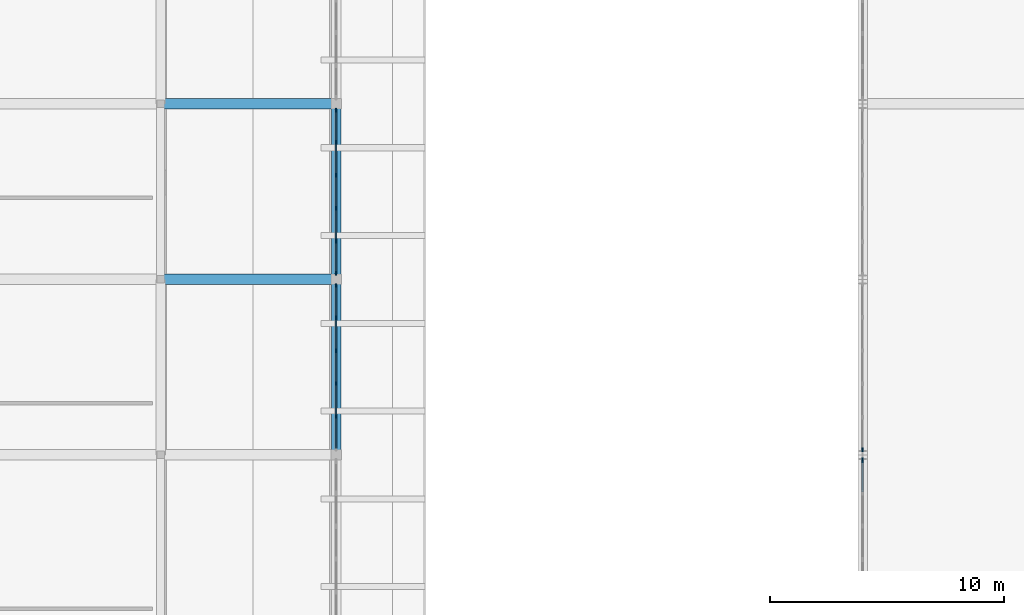
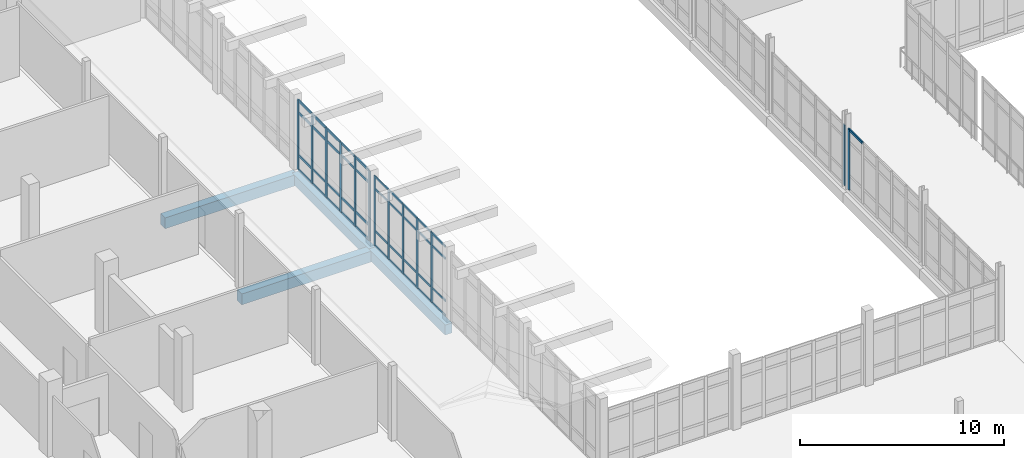
# One storey, part 24 of 128: 54 members, 4 beams, 4 elements without a shape of their own.
"""IFC4 building model written with IfcOpenShell, lengths in metres."""

from ifc_helpers import new_model, si_unit, direction, frame, origin, origin_2d, place, context, subcontext, project, spatial, rectangle, extrude, material, layer, layer_set, material_profile, profile_set, type_object, element, aggregate, save


model = new_model("IFC4")

# Units and contexts
model_context = context("Model", 3, precision=1e-05, world=origin(), true_north=direction((0.0, 1.0)))
body_context = subcontext(model_context, "Body", "Model", "MODEL_VIEW")
ifc_project = project(units=[si_unit("LENGTHUNIT", "METRE"), si_unit("AREAUNIT", "SQUARE_METRE"), si_unit("VOLUMEUNIT", "CUBIC_METRE"), si_unit("PLANEANGLEUNIT", "RADIAN"), si_unit("MASSUNIT", "GRAM", prefix="KILO")], contexts=[model_context])

# Site, building, storey
site_placement = place(None, origin())
site = spatial("IfcSite", under=ifc_project, at=site_placement, CompositionType="ELEMENT")
building_placement = place(site_placement, origin())
building = spatial("IfcBuilding", under=site, at=building_placement, Name="Dalvernix Boulevard General Hospital", CompositionType="ELEMENT")
storey_placement = place(building_placement, frame((0.0, 0.0, 4.800048828125)))
storey = spatial("IfcBuildingStorey", under=building, at=storey_placement, Name="L01", CompositionType="ELEMENT", Elevation=4.800048828125)

# Beams
ifc_material_1 = material(Name="Concrete C35/45", Category="concrete")
ifc_material_profile_1 = material_profile(ifc_material_1, rectangle(XDim=0.449951171875, YDim=0.64990234375, at=origin_2d()), Name="RCB 450x650")
ifc_profile_set_1 = profile_set([ifc_material_profile_1], Name="Concrete C35/45")
beam_type_1 = type_object("IfcBeamType", Name="BM-B-03-I", PredefinedType="BEAM", material=ifc_profile_set_1)
for number, where, z_axis, x_axis, name in (
    (1, (30.0, 54.0, -0.625), (1.0, 0.0, 0.0), (0.0, 1.0, 0.0), "L01 E-W girder H:5-6"),
    (2, (30.0, 61.5, -0.625), (1.0, 0.0, 0.0), (0.0, 1.0, 0.0), "L01 E-W girder J:5-6"),
):
    element("IfcBeam", number, at=place(storey_placement, frame(where, z_axis=z_axis, x_axis=x_axis)), inside=storey, type_object=beam_type_1, Name=name, PredefinedType="BEAM", context=body_context, shape_type="SweptSolid", body=[
        extrude(rectangle(XDim=0.449951171875, YDim=0.64990234375, at=origin_2d()), origin(), (0.0, 0.0, 1.0), 7.5),
    ])
ifc_material_profile_2 = material_profile(ifc_material_1, rectangle(XDim=0.39990234375, YDim=0.60009765625, at=origin_2d()), Name="RCB 400x600")
ifc_profile_set_2 = profile_set([ifc_material_profile_2], Name="Concrete C35/45")
beam_type_2 = type_object("IfcBeamType", Name="BM-SB-02-E", PredefinedType="SPANDREL", material=ifc_profile_set_2)
for number, where, z_axis, x_axis, name in (
    (3, (37.5, 46.5, -0.60009765625), (0.0, 1.0, 0.0), (-1.0, 0.0, 0.0), "L01 N-S girder 6:G-H"),
    (4, (37.5, 54.0, -0.60009765625), (0.0, 1.0, 0.0), (-1.0, 0.0, 0.0), "L01 N-S girder 6:H-J"),
):
    element("IfcBeam", number, at=place(storey_placement, frame(where, z_axis=z_axis, x_axis=x_axis)), inside=storey, type_object=beam_type_2, Name=name, PredefinedType="SPANDREL", context=body_context, shape_type="SweptSolid", body=[
        extrude(rectangle(XDim=0.39990234375, YDim=0.60009765625, at=origin_2d()), origin(), (0.0, 0.0, 1.0), 7.5),
    ])

# Curtain wall, members
ifc_material_2 = material(Name="Thermally broken aluminium and solar-control glass curtain wall", Category="aluminium")
ifc_layer_1 = layer(ifc_material_2, 0.159912109375)
ifc_layer_set_1 = layer_set([ifc_layer_1], Name="Thermally broken aluminium and solar-control glass curtain wall (CW-CW-A-70x42)")
curtain_wall_type_1 = type_object("IfcCurtainWallType", Name="CW-CW-A-70x42", PredefinedType="USERDEFINED", material=ifc_layer_set_1)
curtain_wall_1_placement = place(storey_placement, origin())
curtain_wall_1 = element("IfcCurtainWall", 5, at=curtain_wall_1_placement, inside=storey, type_object=curtain_wall_type_1, Name="L01 curtain wall CW-A-70x42 5-6", ObjectType="GLAZED FACADE", PredefinedType="USERDEFINED")
ifc_material_3 = material(Name="Aluminium EN AW-6060", Category="aluminium")
ifc_material_profile_3 = material_profile(ifc_material_3, rectangle(XDim=0.06005859375, YDim=0.159912109375, at=origin_2d()), Name="ALU MULL 60x160")
ifc_profile_set_3 = profile_set([ifc_material_profile_3], Name="Aluminium EN AW-6060")
member_type_1 = type_object("IfcMemberType", Name="MEM-CW-M1", PredefinedType="MULLION", material=ifc_profile_set_3)
member_1_placement = place(storey_placement, frame((37.5, 53.735107421875, 0.0), z_axis=(0.0, 0.0, 1.0), x_axis=(1.0, 0.0, 0.0)))
member_1 = element("IfcMember", 6, at=member_1_placement, type_object=member_type_1, Name="CW-A-70x42 mullion 1", PredefinedType="MULLION", context=body_context, shape_type="SweptSolid", body=[
    extrude(rectangle(XDim=0.06005859375, YDim=0.159912109375, at=origin_2d()), origin(), (0.0, 0.0, 1.0), 4.179931640625),
])
member_2_placement = place(storey_placement, frame((37.5, 52.35888671875, 0.0), z_axis=(0.0, 0.0, 1.0), x_axis=(1.0, 0.0, 0.0)))
member_2 = element("IfcMember", 7, at=member_2_placement, type_object=member_type_1, Name="CW-A-70x42 mullion 2", PredefinedType="MULLION", context=body_context, shape_type="SweptSolid", body=[
    extrude(rectangle(XDim=0.06005859375, YDim=0.159912109375, at=origin_2d()), origin(), (0.0, 0.0, 1.0), 4.179931640625),
])
member_3_placement = place(storey_placement, frame((37.5, 50.952880859375, 0.0), z_axis=(0.0, 0.0, 1.0), x_axis=(1.0, 0.0, 0.0)))
member_3 = element("IfcMember", 8, at=member_3_placement, type_object=member_type_1, Name="CW-A-70x42 mullion 3", PredefinedType="MULLION", context=body_context, shape_type="SweptSolid", body=[
    extrude(rectangle(XDim=0.06005859375, YDim=0.159912109375, at=origin_2d()), origin(), (0.0, 0.0, 1.0), 4.179931640625),
])
member_4_placement = place(storey_placement, frame((37.5, 49.547119140625, 0.0), z_axis=(0.0, 0.0, 1.0), x_axis=(1.0, 0.0, 0.0)))
member_4 = element("IfcMember", 9, at=member_4_placement, type_object=member_type_1, Name="CW-A-70x42 mullion 4", PredefinedType="MULLION", context=body_context, shape_type="SweptSolid", body=[
    extrude(rectangle(XDim=0.06005859375, YDim=0.159912109375, at=origin_2d()), origin(), (0.0, 0.0, 1.0), 4.179931640625),
])
member_5_placement = place(storey_placement, frame((37.5, 48.14111328125, 0.0), z_axis=(0.0, 0.0, 1.0), x_axis=(1.0, 0.0, 0.0)))
member_5 = element("IfcMember", 10, at=member_5_placement, type_object=member_type_1, Name="CW-A-70x42 mullion 5", PredefinedType="MULLION", context=body_context, shape_type="SweptSolid", body=[
    extrude(rectangle(XDim=0.06005859375, YDim=0.159912109375, at=origin_2d()), origin(), (0.0, 0.0, 1.0), 4.179931640625),
])

# Curtain wall, member
ifc_layer_2 = layer(ifc_material_2, 0.159912109375)
ifc_layer_set_2 = layer_set([ifc_layer_2], Name="Thermally broken aluminium and solar-control glass curtain wall (CW-CW-A-71x36)")
curtain_wall_type_2 = type_object("IfcCurtainWallType", Name="CW-CW-A-71x36", PredefinedType="USERDEFINED", material=ifc_layer_set_2)
curtain_wall_2_placement = place(storey_placement, origin())
curtain_wall_2 = element("IfcCurtainWall", 11, at=curtain_wall_2_placement, inside=storey, type_object=curtain_wall_type_2, Name="L01 curtain wall CW-A-71x36 8-6", ObjectType="GLAZED FACADE", PredefinedType="USERDEFINED")
member_6_placement = place(storey_placement, frame((60.0, 46.719970703125, 0.0), z_axis=(0.0, 0.0, 1.0), x_axis=(-1.0, 0.0, 0.0)))
member_6 = element("IfcMember", 12, at=member_6_placement, type_object=member_type_1, Name="CW-A-71x36 mullion 1", PredefinedType="MULLION", context=body_context, shape_type="SweptSolid", body=[
    extrude(rectangle(XDim=0.06005859375, YDim=0.159912109375, at=origin_2d()), origin(), (0.0, 0.0, 1.0), 3.6298828125),
])
aggregate(curtain_wall_2, [member_6])

# Curtain wall, members
ifc_layer_3 = layer(ifc_material_2, 0.179931640625)
ifc_layer_set_3 = layer_set([ifc_layer_3], Name="Thermally broken aluminium and solar-control glass curtain wall (CW-CW-B-70x42)")
curtain_wall_type_3 = type_object("IfcCurtainWallType", Name="CW-CW-B-70x42", PredefinedType="USERDEFINED", material=ifc_layer_set_3)
curtain_wall_3_placement = place(storey_placement, origin())
curtain_wall_3 = element("IfcCurtainWall", 13, at=curtain_wall_3_placement, inside=storey, type_object=curtain_wall_type_3, Name="L01 curtain wall CW-B-70x42 5-7", ObjectType="GLAZED FACADE", PredefinedType="USERDEFINED")
ifc_material_profile_4 = material_profile(ifc_material_3, rectangle(XDim=0.06494140625, YDim=0.179931640625, at=origin_2d()), Name="ALU MULL 65x180")
ifc_profile_set_4 = profile_set([ifc_material_profile_4], Name="Aluminium EN AW-6060")
member_type_2 = type_object("IfcMemberType", Name="MEM-CW-M2", PredefinedType="MULLION", material=ifc_profile_set_4)
member_7_placement = place(storey_placement, frame((37.5, 61.232421875, 0.0), z_axis=(0.0, 0.0, 1.0), x_axis=(1.0, 0.0, 0.0)))
member_7 = element("IfcMember", 14, at=member_7_placement, type_object=member_type_2, Name="CW-B-70x42 mullion 1", PredefinedType="MULLION", context=body_context, shape_type="SweptSolid", body=[
    extrude(rectangle(XDim=0.06494140625, YDim=0.179931640625, at=origin_2d()), origin(), (0.0, 0.0, 1.0), 4.179931640625),
])
member_8_placement = place(storey_placement, frame((37.5, 59.85888671875, 0.0), z_axis=(0.0, 0.0, 1.0), x_axis=(1.0, 0.0, 0.0)))
member_8 = element("IfcMember", 15, at=member_8_placement, type_object=member_type_2, Name="CW-B-70x42 mullion 2", PredefinedType="MULLION", context=body_context, shape_type="SweptSolid", body=[
    extrude(rectangle(XDim=0.06494140625, YDim=0.179931640625, at=origin_2d()), origin(), (0.0, 0.0, 1.0), 4.179931640625),
])
member_9_placement = place(storey_placement, frame((37.5, 58.452880859375, 0.0), z_axis=(0.0, 0.0, 1.0), x_axis=(1.0, 0.0, 0.0)))
member_9 = element("IfcMember", 16, at=member_9_placement, type_object=member_type_2, Name="CW-B-70x42 mullion 3", PredefinedType="MULLION", context=body_context, shape_type="SweptSolid", body=[
    extrude(rectangle(XDim=0.06494140625, YDim=0.179931640625, at=origin_2d()), origin(), (0.0, 0.0, 1.0), 4.179931640625),
])
member_10_placement = place(storey_placement, frame((37.5, 57.047119140625, 0.0), z_axis=(0.0, 0.0, 1.0), x_axis=(1.0, 0.0, 0.0)))
member_10 = element("IfcMember", 17, at=member_10_placement, type_object=member_type_2, Name="CW-B-70x42 mullion 4", PredefinedType="MULLION", context=body_context, shape_type="SweptSolid", body=[
    extrude(rectangle(XDim=0.06494140625, YDim=0.179931640625, at=origin_2d()), origin(), (0.0, 0.0, 1.0), 4.179931640625),
])
member_11_placement = place(storey_placement, frame((37.5, 55.64111328125, 0.0), z_axis=(0.0, 0.0, 1.0), x_axis=(1.0, 0.0, 0.0)))
member_11 = element("IfcMember", 18, at=member_11_placement, type_object=member_type_2, Name="CW-B-70x42 mullion 5", PredefinedType="MULLION", context=body_context, shape_type="SweptSolid", body=[
    extrude(rectangle(XDim=0.06494140625, YDim=0.179931640625, at=origin_2d()), origin(), (0.0, 0.0, 1.0), 4.179931640625),
])
member_12_placement = place(storey_placement, frame((37.5, 54.267578125, 0.0), z_axis=(0.0, 0.0, 1.0), x_axis=(1.0, 0.0, 0.0)))
member_12 = element("IfcMember", 19, at=member_12_placement, type_object=member_type_2, Name="CW-B-70x42 mullion 6", PredefinedType="MULLION", context=body_context, shape_type="SweptSolid", body=[
    extrude(rectangle(XDim=0.06494140625, YDim=0.179931640625, at=origin_2d()), origin(), (0.0, 0.0, 1.0), 4.179931640625),
])

# Curtain wall, member
ifc_layer_4 = layer(ifc_material_2, 0.199951171875)
ifc_layer_set_4 = layer_set([ifc_layer_4], Name="Thermally broken aluminium and solar-control glass curtain wall (CW-CW-C-71x36)")
curtain_wall_type_4 = type_object("IfcCurtainWallType", Name="CW-CW-C-71x36", PredefinedType="USERDEFINED", material=ifc_layer_set_4)
curtain_wall_4_placement = place(storey_placement, origin())
curtain_wall_4 = element("IfcCurtainWall", 20, at=curtain_wall_4_placement, inside=storey, type_object=curtain_wall_type_4, Name="L01 curtain wall CW-C-71x36 8-5", ObjectType="GLAZED FACADE", PredefinedType="USERDEFINED")
ifc_material_profile_5 = material_profile(ifc_material_3, rectangle(XDim=0.070068359375, YDim=0.199951171875, at=origin_2d()), Name="ALU MULL 70x200")
ifc_profile_set_5 = profile_set([ifc_material_profile_5], Name="Aluminium EN AW-6060")
member_type_3 = type_object("IfcMemberType", Name="MEM-CW-M3", PredefinedType="MULLION", material=ifc_profile_set_5)
member_13_placement = place(storey_placement, frame((60.0, 46.27490234375, 0.0), z_axis=(0.0, 0.0, 1.0), x_axis=(-1.0, 0.0, 0.0)))
member_13 = element("IfcMember", 21, at=member_13_placement, type_object=member_type_3, Name="CW-C-71x36 mullion 6", PredefinedType="MULLION", context=body_context, shape_type="SweptSolid", body=[
    extrude(rectangle(XDim=0.070068359375, YDim=0.199951171875, at=origin_2d()), origin(), (0.0, 0.0, 1.0), 3.6298828125),
])

# Member
ifc_material_profile_6 = material_profile(ifc_material_3, rectangle(XDim=0.06005859375, YDim=0.1201171875, at=origin_2d()), Name="ALU TRAN 60x120")
ifc_profile_set_6 = profile_set([ifc_material_profile_6], Name="Aluminium EN AW-6060")
member_type_4 = type_object("IfcMemberType", Name="MEM-CW-T1", PredefinedType="USERDEFINED", material=ifc_profile_set_6)
member_14_placement = place(storey_placement, frame((37.5, 53.705078125, 0.030029296875), z_axis=(0.0, -1.0, 0.0), x_axis=(1.0, 0.0, 0.0)))
member_14 = element("IfcMember", 22, at=member_14_placement, type_object=member_type_4, Name="CW-A-70x42 transom 1.1", ObjectType="TRANSOM", PredefinedType="USERDEFINED", context=body_context, shape_type="SweptSolid", body=[
    extrude(rectangle(XDim=0.06005859375, YDim=0.1201171875, at=origin_2d()), origin(), (0.0, 0.0, 1.0), 1.316162109375),
])

member_15_placement = place(storey_placement, frame((37.5, 53.705078125, 0.89990234375), z_axis=(0.0, -1.0, 0.0), x_axis=(1.0, 0.0, 0.0)))
member_15 = element("IfcMember", 23, at=member_15_placement, type_object=member_type_4, Name="CW-A-70x42 transom 1.2", ObjectType="TRANSOM", PredefinedType="USERDEFINED", context=body_context, shape_type="SweptSolid", body=[
    extrude(rectangle(XDim=0.06005859375, YDim=0.1201171875, at=origin_2d()), origin(), (0.0, 0.0, 1.0), 1.316162109375),
])

member_16_placement = place(storey_placement, frame((37.5, 53.705078125, 3.429931640625), z_axis=(0.0, -1.0, 0.0), x_axis=(1.0, 0.0, 0.0)))
member_16 = element("IfcMember", 24, at=member_16_placement, type_object=member_type_4, Name="CW-A-70x42 transom 1.3", ObjectType="TRANSOM", PredefinedType="USERDEFINED", context=body_context, shape_type="SweptSolid", body=[
    extrude(rectangle(XDim=0.06005859375, YDim=0.1201171875, at=origin_2d()), origin(), (0.0, 0.0, 1.0), 1.316162109375),
])

member_17_placement = place(storey_placement, frame((37.5, 53.705078125, 4.14990234375), z_axis=(0.0, -1.0, 0.0), x_axis=(1.0, 0.0, 0.0)))
member_17 = element("IfcMember", 25, at=member_17_placement, type_object=member_type_4, Name="CW-A-70x42 transom 1.4", ObjectType="TRANSOM", PredefinedType="USERDEFINED", context=body_context, shape_type="SweptSolid", body=[
    extrude(rectangle(XDim=0.06005859375, YDim=0.1201171875, at=origin_2d()), origin(), (0.0, 0.0, 1.0), 1.316162109375),
])

member_18_placement = place(storey_placement, frame((37.5, 52.3291015625, 0.030029296875), z_axis=(0.0, -1.0, 0.0), x_axis=(1.0, 0.0, 0.0)))
member_18 = element("IfcMember", 26, at=member_18_placement, type_object=member_type_4, Name="CW-A-70x42 transom 2.1", ObjectType="TRANSOM", PredefinedType="USERDEFINED", context=body_context, shape_type="SweptSolid", body=[
    extrude(rectangle(XDim=0.06005859375, YDim=0.1201171875, at=origin_2d()), origin(), (0.0, 0.0, 1.0), 1.34619140625),
])

member_19_placement = place(storey_placement, frame((37.5, 52.3291015625, 0.89990234375), z_axis=(0.0, -1.0, 0.0), x_axis=(1.0, 0.0, 0.0)))
member_19 = element("IfcMember", 27, at=member_19_placement, type_object=member_type_4, Name="CW-A-70x42 transom 2.2", ObjectType="TRANSOM", PredefinedType="USERDEFINED", context=body_context, shape_type="SweptSolid", body=[
    extrude(rectangle(XDim=0.06005859375, YDim=0.1201171875, at=origin_2d()), origin(), (0.0, 0.0, 1.0), 1.34619140625),
])

member_20_placement = place(storey_placement, frame((37.5, 52.3291015625, 3.429931640625), z_axis=(0.0, -1.0, 0.0), x_axis=(1.0, 0.0, 0.0)))
member_20 = element("IfcMember", 28, at=member_20_placement, type_object=member_type_4, Name="CW-A-70x42 transom 2.3", ObjectType="TRANSOM", PredefinedType="USERDEFINED", context=body_context, shape_type="SweptSolid", body=[
    extrude(rectangle(XDim=0.06005859375, YDim=0.1201171875, at=origin_2d()), origin(), (0.0, 0.0, 1.0), 1.34619140625),
])

member_21_placement = place(storey_placement, frame((37.5, 52.3291015625, 4.14990234375), z_axis=(0.0, -1.0, 0.0), x_axis=(1.0, 0.0, 0.0)))
member_21 = element("IfcMember", 29, at=member_21_placement, type_object=member_type_4, Name="CW-A-70x42 transom 2.4", ObjectType="TRANSOM", PredefinedType="USERDEFINED", context=body_context, shape_type="SweptSolid", body=[
    extrude(rectangle(XDim=0.06005859375, YDim=0.1201171875, at=origin_2d()), origin(), (0.0, 0.0, 1.0), 1.34619140625),
])

member_22_placement = place(storey_placement, frame((37.5, 50.923095703125, 0.030029296875), z_axis=(0.0, -1.0, 0.0), x_axis=(1.0, 0.0, 0.0)))
member_22 = element("IfcMember", 30, at=member_22_placement, type_object=member_type_4, Name="CW-A-70x42 transom 3.1", ObjectType="TRANSOM", PredefinedType="USERDEFINED", context=body_context, shape_type="SweptSolid", body=[
    extrude(rectangle(XDim=0.06005859375, YDim=0.1201171875, at=origin_2d()), origin(), (0.0, 0.0, 1.0), 1.34619140625),
])

member_23_placement = place(storey_placement, frame((37.5, 50.923095703125, 0.89990234375), z_axis=(0.0, -1.0, 0.0), x_axis=(1.0, 0.0, 0.0)))
member_23 = element("IfcMember", 31, at=member_23_placement, type_object=member_type_4, Name="CW-A-70x42 transom 3.2", ObjectType="TRANSOM", PredefinedType="USERDEFINED", context=body_context, shape_type="SweptSolid", body=[
    extrude(rectangle(XDim=0.06005859375, YDim=0.1201171875, at=origin_2d()), origin(), (0.0, 0.0, 1.0), 1.34619140625),
])

member_24_placement = place(storey_placement, frame((37.5, 50.923095703125, 3.429931640625), z_axis=(0.0, -1.0, 0.0), x_axis=(1.0, 0.0, 0.0)))
member_24 = element("IfcMember", 32, at=member_24_placement, type_object=member_type_4, Name="CW-A-70x42 transom 3.3", ObjectType="TRANSOM", PredefinedType="USERDEFINED", context=body_context, shape_type="SweptSolid", body=[
    extrude(rectangle(XDim=0.06005859375, YDim=0.1201171875, at=origin_2d()), origin(), (0.0, 0.0, 1.0), 1.34619140625),
])

member_25_placement = place(storey_placement, frame((37.5, 50.923095703125, 4.14990234375), z_axis=(0.0, -1.0, 0.0), x_axis=(1.0, 0.0, 0.0)))
member_25 = element("IfcMember", 33, at=member_25_placement, type_object=member_type_4, Name="CW-A-70x42 transom 3.4", ObjectType="TRANSOM", PredefinedType="USERDEFINED", context=body_context, shape_type="SweptSolid", body=[
    extrude(rectangle(XDim=0.06005859375, YDim=0.1201171875, at=origin_2d()), origin(), (0.0, 0.0, 1.0), 1.34619140625),
])

member_26_placement = place(storey_placement, frame((37.5, 49.51708984375, 0.030029296875), z_axis=(0.0, -1.0, 0.0), x_axis=(1.0, 0.0, 0.0)))
member_26 = element("IfcMember", 34, at=member_26_placement, type_object=member_type_4, Name="CW-A-70x42 transom 4.1", ObjectType="TRANSOM", PredefinedType="USERDEFINED", context=body_context, shape_type="SweptSolid", body=[
    extrude(rectangle(XDim=0.06005859375, YDim=0.1201171875, at=origin_2d()), origin(), (0.0, 0.0, 1.0), 1.34619140625),
])

member_27_placement = place(storey_placement, frame((37.5, 49.51708984375, 0.89990234375), z_axis=(0.0, -1.0, 0.0), x_axis=(1.0, 0.0, 0.0)))
member_27 = element("IfcMember", 35, at=member_27_placement, type_object=member_type_4, Name="CW-A-70x42 transom 4.2", ObjectType="TRANSOM", PredefinedType="USERDEFINED", context=body_context, shape_type="SweptSolid", body=[
    extrude(rectangle(XDim=0.06005859375, YDim=0.1201171875, at=origin_2d()), origin(), (0.0, 0.0, 1.0), 1.34619140625),
])

member_28_placement = place(storey_placement, frame((37.5, 49.51708984375, 3.429931640625), z_axis=(0.0, -1.0, 0.0), x_axis=(1.0, 0.0, 0.0)))
member_28 = element("IfcMember", 36, at=member_28_placement, type_object=member_type_4, Name="CW-A-70x42 transom 4.3", ObjectType="TRANSOM", PredefinedType="USERDEFINED", context=body_context, shape_type="SweptSolid", body=[
    extrude(rectangle(XDim=0.06005859375, YDim=0.1201171875, at=origin_2d()), origin(), (0.0, 0.0, 1.0), 1.34619140625),
])

member_29_placement = place(storey_placement, frame((37.5, 49.51708984375, 4.14990234375), z_axis=(0.0, -1.0, 0.0), x_axis=(1.0, 0.0, 0.0)))
member_29 = element("IfcMember", 37, at=member_29_placement, type_object=member_type_4, Name="CW-A-70x42 transom 4.4", ObjectType="TRANSOM", PredefinedType="USERDEFINED", context=body_context, shape_type="SweptSolid", body=[
    extrude(rectangle(XDim=0.06005859375, YDim=0.1201171875, at=origin_2d()), origin(), (0.0, 0.0, 1.0), 1.34619140625),
])

member_30_placement = place(storey_placement, frame((37.5, 48.111083984375, 0.030029296875), z_axis=(0.0, -1.0, 0.0), x_axis=(1.0, 0.0, 0.0)))
member_30 = element("IfcMember", 38, at=member_30_placement, type_object=member_type_4, Name="CW-A-70x42 transom 5.1", ObjectType="TRANSOM", PredefinedType="USERDEFINED", context=body_context, shape_type="SweptSolid", body=[
    extrude(rectangle(XDim=0.06005859375, YDim=0.1201171875, at=origin_2d()), origin(), (0.0, 0.0, 1.0), 1.316162109375),
])

member_31_placement = place(storey_placement, frame((37.5, 48.111083984375, 0.89990234375), z_axis=(0.0, -1.0, 0.0), x_axis=(1.0, 0.0, 0.0)))
member_31 = element("IfcMember", 39, at=member_31_placement, type_object=member_type_4, Name="CW-A-70x42 transom 5.2", ObjectType="TRANSOM", PredefinedType="USERDEFINED", context=body_context, shape_type="SweptSolid", body=[
    extrude(rectangle(XDim=0.06005859375, YDim=0.1201171875, at=origin_2d()), origin(), (0.0, 0.0, 1.0), 1.316162109375),
])

member_32_placement = place(storey_placement, frame((37.5, 48.111083984375, 3.429931640625), z_axis=(0.0, -1.0, 0.0), x_axis=(1.0, 0.0, 0.0)))
member_32 = element("IfcMember", 40, at=member_32_placement, type_object=member_type_4, Name="CW-A-70x42 transom 5.3", ObjectType="TRANSOM", PredefinedType="USERDEFINED", context=body_context, shape_type="SweptSolid", body=[
    extrude(rectangle(XDim=0.06005859375, YDim=0.1201171875, at=origin_2d()), origin(), (0.0, 0.0, 1.0), 1.316162109375),
])

member_33_placement = place(storey_placement, frame((37.5, 48.111083984375, 4.14990234375), z_axis=(0.0, -1.0, 0.0), x_axis=(1.0, 0.0, 0.0)))
member_33 = element("IfcMember", 41, at=member_33_placement, type_object=member_type_4, Name="CW-A-70x42 transom 5.4", ObjectType="TRANSOM", PredefinedType="USERDEFINED", context=body_context, shape_type="SweptSolid", body=[
    extrude(rectangle(XDim=0.06005859375, YDim=0.1201171875, at=origin_2d()), origin(), (0.0, 0.0, 1.0), 1.316162109375),
])

aggregate(curtain_wall_1, [member_1, member_2, member_3, member_4, member_5, member_14, member_15, member_16, member_17, member_18, member_19, member_20, member_21, member_22, member_23, member_24, member_25, member_26, member_27, member_28, member_29, member_30, member_31, member_32, member_33])

ifc_material_profile_7 = material_profile(ifc_material_3, rectangle(XDim=0.06494140625, YDim=0.139892578125, at=origin_2d()), Name="ALU TRAN 65x140")
ifc_profile_set_7 = profile_set([ifc_material_profile_7], Name="Aluminium EN AW-6060")
member_type_5 = type_object("IfcMemberType", Name="MEM-CW-T2", PredefinedType="USERDEFINED", material=ifc_profile_set_7)
member_34_placement = place(storey_placement, frame((37.5, 61.199951171875, 0.032470703125), z_axis=(0.0, -1.0, 0.0), x_axis=(1.0, 0.0, 0.0)))
member_34 = element("IfcMember", 42, at=member_34_placement, type_object=member_type_5, Name="CW-B-70x42 transom 1.1", ObjectType="TRANSOM", PredefinedType="USERDEFINED", context=body_context, shape_type="SweptSolid", body=[
    extrude(rectangle(XDim=0.06494140625, YDim=0.139892578125, at=origin_2d()), origin(), (0.0, 0.0, 1.0), 1.308349609375),
])

member_35_placement = place(storey_placement, frame((37.5, 61.199951171875, 0.89990234375), z_axis=(0.0, -1.0, 0.0), x_axis=(1.0, 0.0, 0.0)))
member_35 = element("IfcMember", 43, at=member_35_placement, type_object=member_type_5, Name="CW-B-70x42 transom 1.2", ObjectType="TRANSOM", PredefinedType="USERDEFINED", context=body_context, shape_type="SweptSolid", body=[
    extrude(rectangle(XDim=0.06494140625, YDim=0.139892578125, at=origin_2d()), origin(), (0.0, 0.0, 1.0), 1.308349609375),
])

member_36_placement = place(storey_placement, frame((37.5, 61.199951171875, 3.429931640625), z_axis=(0.0, -1.0, 0.0), x_axis=(1.0, 0.0, 0.0)))
member_36 = element("IfcMember", 44, at=member_36_placement, type_object=member_type_5, Name="CW-B-70x42 transom 1.3", ObjectType="TRANSOM", PredefinedType="USERDEFINED", context=body_context, shape_type="SweptSolid", body=[
    extrude(rectangle(XDim=0.06494140625, YDim=0.139892578125, at=origin_2d()), origin(), (0.0, 0.0, 1.0), 1.308349609375),
])

member_37_placement = place(storey_placement, frame((37.5, 61.199951171875, 4.1474609375), z_axis=(0.0, -1.0, 0.0), x_axis=(1.0, 0.0, 0.0)))
member_37 = element("IfcMember", 45, at=member_37_placement, type_object=member_type_5, Name="CW-B-70x42 transom 1.4", ObjectType="TRANSOM", PredefinedType="USERDEFINED", context=body_context, shape_type="SweptSolid", body=[
    extrude(rectangle(XDim=0.06494140625, YDim=0.139892578125, at=origin_2d()), origin(), (0.0, 0.0, 1.0), 1.308349609375),
])

member_38_placement = place(storey_placement, frame((37.5, 59.826416015625, 0.032470703125), z_axis=(0.0, -1.0, 0.0), x_axis=(1.0, 0.0, 0.0)))
member_38 = element("IfcMember", 46, at=member_38_placement, type_object=member_type_5, Name="CW-B-70x42 transom 2.1", ObjectType="TRANSOM", PredefinedType="USERDEFINED", context=body_context, shape_type="SweptSolid", body=[
    extrude(rectangle(XDim=0.06494140625, YDim=0.139892578125, at=origin_2d()), origin(), (0.0, 0.0, 1.0), 1.3408203125),
])

member_39_placement = place(storey_placement, frame((37.5, 59.826416015625, 0.89990234375), z_axis=(0.0, -1.0, 0.0), x_axis=(1.0, 0.0, 0.0)))
member_39 = element("IfcMember", 47, at=member_39_placement, type_object=member_type_5, Name="CW-B-70x42 transom 2.2", ObjectType="TRANSOM", PredefinedType="USERDEFINED", context=body_context, shape_type="SweptSolid", body=[
    extrude(rectangle(XDim=0.06494140625, YDim=0.139892578125, at=origin_2d()), origin(), (0.0, 0.0, 1.0), 1.3408203125),
])

member_40_placement = place(storey_placement, frame((37.5, 59.826416015625, 3.429931640625), z_axis=(0.0, -1.0, 0.0), x_axis=(1.0, 0.0, 0.0)))
member_40 = element("IfcMember", 48, at=member_40_placement, type_object=member_type_5, Name="CW-B-70x42 transom 2.3", ObjectType="TRANSOM", PredefinedType="USERDEFINED", context=body_context, shape_type="SweptSolid", body=[
    extrude(rectangle(XDim=0.06494140625, YDim=0.139892578125, at=origin_2d()), origin(), (0.0, 0.0, 1.0), 1.3408203125),
])

member_41_placement = place(storey_placement, frame((37.5, 59.826416015625, 4.1474609375), z_axis=(0.0, -1.0, 0.0), x_axis=(1.0, 0.0, 0.0)))
member_41 = element("IfcMember", 49, at=member_41_placement, type_object=member_type_5, Name="CW-B-70x42 transom 2.4", ObjectType="TRANSOM", PredefinedType="USERDEFINED", context=body_context, shape_type="SweptSolid", body=[
    extrude(rectangle(XDim=0.06494140625, YDim=0.139892578125, at=origin_2d()), origin(), (0.0, 0.0, 1.0), 1.3408203125),
])

member_42_placement = place(storey_placement, frame((37.5, 58.42041015625, 0.032470703125), z_axis=(0.0, -1.0, 0.0), x_axis=(1.0, 0.0, 0.0)))
member_42 = element("IfcMember", 50, at=member_42_placement, type_object=member_type_5, Name="CW-B-70x42 transom 3.1", ObjectType="TRANSOM", PredefinedType="USERDEFINED", context=body_context, shape_type="SweptSolid", body=[
    extrude(rectangle(XDim=0.06494140625, YDim=0.139892578125, at=origin_2d()), origin(), (0.0, 0.0, 1.0), 1.3408203125),
])

member_43_placement = place(storey_placement, frame((37.5, 58.42041015625, 0.89990234375), z_axis=(0.0, -1.0, 0.0), x_axis=(1.0, 0.0, 0.0)))
member_43 = element("IfcMember", 51, at=member_43_placement, type_object=member_type_5, Name="CW-B-70x42 transom 3.2", ObjectType="TRANSOM", PredefinedType="USERDEFINED", context=body_context, shape_type="SweptSolid", body=[
    extrude(rectangle(XDim=0.06494140625, YDim=0.139892578125, at=origin_2d()), origin(), (0.0, 0.0, 1.0), 1.3408203125),
])

member_44_placement = place(storey_placement, frame((37.5, 58.42041015625, 3.429931640625), z_axis=(0.0, -1.0, 0.0), x_axis=(1.0, 0.0, 0.0)))
member_44 = element("IfcMember", 52, at=member_44_placement, type_object=member_type_5, Name="CW-B-70x42 transom 3.3", ObjectType="TRANSOM", PredefinedType="USERDEFINED", context=body_context, shape_type="SweptSolid", body=[
    extrude(rectangle(XDim=0.06494140625, YDim=0.139892578125, at=origin_2d()), origin(), (0.0, 0.0, 1.0), 1.3408203125),
])

member_45_placement = place(storey_placement, frame((37.5, 58.42041015625, 4.1474609375), z_axis=(0.0, -1.0, 0.0), x_axis=(1.0, 0.0, 0.0)))
member_45 = element("IfcMember", 53, at=member_45_placement, type_object=member_type_5, Name="CW-B-70x42 transom 3.4", ObjectType="TRANSOM", PredefinedType="USERDEFINED", context=body_context, shape_type="SweptSolid", body=[
    extrude(rectangle(XDim=0.06494140625, YDim=0.139892578125, at=origin_2d()), origin(), (0.0, 0.0, 1.0), 1.3408203125),
])

member_46_placement = place(storey_placement, frame((37.5, 57.014404296875, 0.032470703125), z_axis=(0.0, -1.0, 0.0), x_axis=(1.0, 0.0, 0.0)))
member_46 = element("IfcMember", 54, at=member_46_placement, type_object=member_type_5, Name="CW-B-70x42 transom 4.1", ObjectType="TRANSOM", PredefinedType="USERDEFINED", context=body_context, shape_type="SweptSolid", body=[
    extrude(rectangle(XDim=0.06494140625, YDim=0.139892578125, at=origin_2d()), origin(), (0.0, 0.0, 1.0), 1.3408203125),
])

member_47_placement = place(storey_placement, frame((37.5, 57.014404296875, 0.89990234375), z_axis=(0.0, -1.0, 0.0), x_axis=(1.0, 0.0, 0.0)))
member_47 = element("IfcMember", 55, at=member_47_placement, type_object=member_type_5, Name="CW-B-70x42 transom 4.2", ObjectType="TRANSOM", PredefinedType="USERDEFINED", context=body_context, shape_type="SweptSolid", body=[
    extrude(rectangle(XDim=0.06494140625, YDim=0.139892578125, at=origin_2d()), origin(), (0.0, 0.0, 1.0), 1.3408203125),
])

member_48_placement = place(storey_placement, frame((37.5, 57.014404296875, 3.429931640625), z_axis=(0.0, -1.0, 0.0), x_axis=(1.0, 0.0, 0.0)))
member_48 = element("IfcMember", 56, at=member_48_placement, type_object=member_type_5, Name="CW-B-70x42 transom 4.3", ObjectType="TRANSOM", PredefinedType="USERDEFINED", context=body_context, shape_type="SweptSolid", body=[
    extrude(rectangle(XDim=0.06494140625, YDim=0.139892578125, at=origin_2d()), origin(), (0.0, 0.0, 1.0), 1.3408203125),
])

member_49_placement = place(storey_placement, frame((37.5, 57.014404296875, 4.1474609375), z_axis=(0.0, -1.0, 0.0), x_axis=(1.0, 0.0, 0.0)))
member_49 = element("IfcMember", 57, at=member_49_placement, type_object=member_type_5, Name="CW-B-70x42 transom 4.4", ObjectType="TRANSOM", PredefinedType="USERDEFINED", context=body_context, shape_type="SweptSolid", body=[
    extrude(rectangle(XDim=0.06494140625, YDim=0.139892578125, at=origin_2d()), origin(), (0.0, 0.0, 1.0), 1.3408203125),
])

member_50_placement = place(storey_placement, frame((37.5, 55.6083984375, 0.032470703125), z_axis=(0.0, -1.0, 0.0), x_axis=(1.0, 0.0, 0.0)))
member_50 = element("IfcMember", 58, at=member_50_placement, type_object=member_type_5, Name="CW-B-70x42 transom 5.1", ObjectType="TRANSOM", PredefinedType="USERDEFINED", context=body_context, shape_type="SweptSolid", body=[
    extrude(rectangle(XDim=0.06494140625, YDim=0.139892578125, at=origin_2d()), origin(), (0.0, 0.0, 1.0), 1.308349609375),
])

member_51_placement = place(storey_placement, frame((37.5, 55.6083984375, 0.89990234375), z_axis=(0.0, -1.0, 0.0), x_axis=(1.0, 0.0, 0.0)))
member_51 = element("IfcMember", 59, at=member_51_placement, type_object=member_type_5, Name="CW-B-70x42 transom 5.2", ObjectType="TRANSOM", PredefinedType="USERDEFINED", context=body_context, shape_type="SweptSolid", body=[
    extrude(rectangle(XDim=0.06494140625, YDim=0.139892578125, at=origin_2d()), origin(), (0.0, 0.0, 1.0), 1.308349609375),
])

member_52_placement = place(storey_placement, frame((37.5, 55.6083984375, 3.429931640625), z_axis=(0.0, -1.0, 0.0), x_axis=(1.0, 0.0, 0.0)))
member_52 = element("IfcMember", 60, at=member_52_placement, type_object=member_type_5, Name="CW-B-70x42 transom 5.3", ObjectType="TRANSOM", PredefinedType="USERDEFINED", context=body_context, shape_type="SweptSolid", body=[
    extrude(rectangle(XDim=0.06494140625, YDim=0.139892578125, at=origin_2d()), origin(), (0.0, 0.0, 1.0), 1.308349609375),
])

member_53_placement = place(storey_placement, frame((37.5, 55.6083984375, 4.1474609375), z_axis=(0.0, -1.0, 0.0), x_axis=(1.0, 0.0, 0.0)))
member_53 = element("IfcMember", 61, at=member_53_placement, type_object=member_type_5, Name="CW-B-70x42 transom 5.4", ObjectType="TRANSOM", PredefinedType="USERDEFINED", context=body_context, shape_type="SweptSolid", body=[
    extrude(rectangle(XDim=0.06494140625, YDim=0.139892578125, at=origin_2d()), origin(), (0.0, 0.0, 1.0), 1.308349609375),
])

aggregate(curtain_wall_3, [member_7, member_8, member_9, member_10, member_11, member_12, member_34, member_35, member_36, member_37, member_38, member_39, member_40, member_41, member_42, member_43, member_44, member_45, member_46, member_47, member_48, member_49, member_50, member_51, member_52, member_53])

ifc_material_profile_8 = material_profile(ifc_material_3, rectangle(XDim=0.070068359375, YDim=0.14990234375, at=origin_2d()), Name="ALU TRAN 70x150")
ifc_profile_set_8 = profile_set([ifc_material_profile_8], Name="Aluminium EN AW-6060")
member_type_6 = type_object("IfcMemberType", Name="MEM-CW-T3", PredefinedType="USERDEFINED", material=ifc_profile_set_8)
member_54_placement = place(storey_placement, frame((60.0, 44.9208984375, 3.594970703125), z_axis=(0.0, 1.0, 0.0), x_axis=(-1.0, 0.0, 0.0)))
member_54 = element("IfcMember", 62, at=member_54_placement, type_object=member_type_6, Name="CW-C-71x36 transom 5.4", ObjectType="TRANSOM", PredefinedType="USERDEFINED", context=body_context, shape_type="SweptSolid", body=[
    extrude(rectangle(XDim=0.070068359375, YDim=0.14990234375, at=origin_2d()), origin(), (0.0, 0.0, 1.0), 1.319091796875),
])

aggregate(curtain_wall_4, [member_13, member_54])

save(model, "model.ifc")
